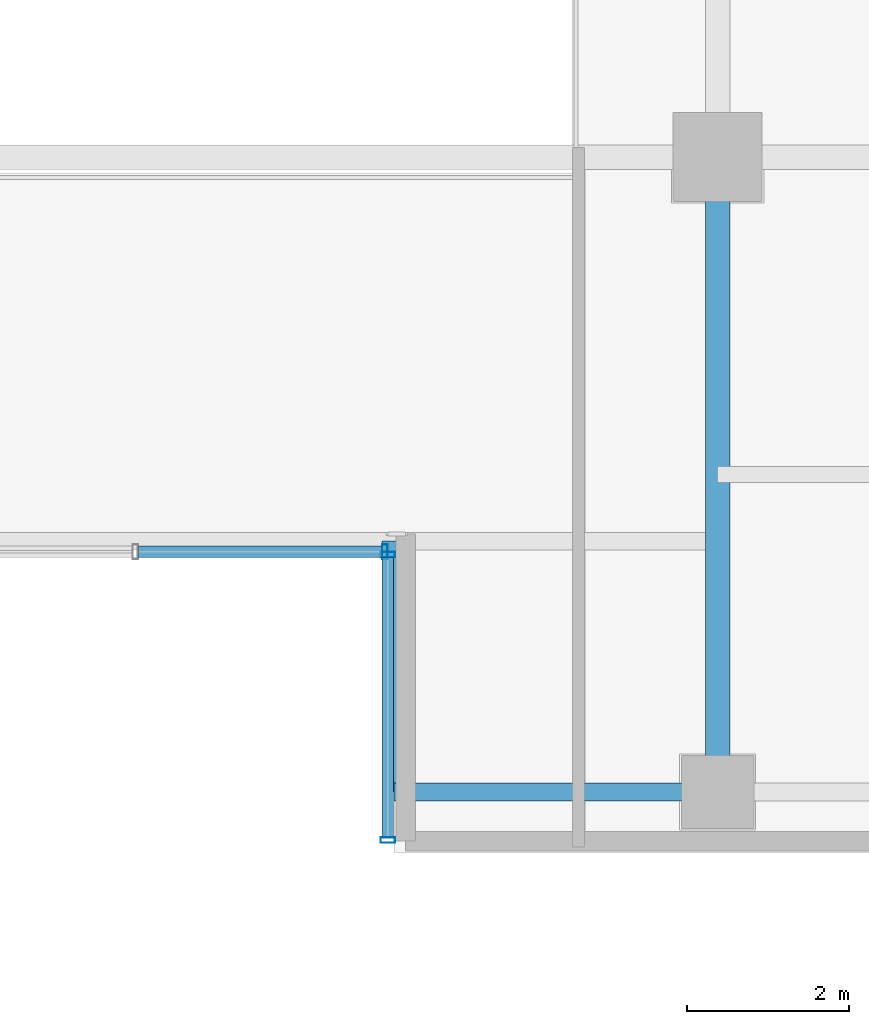
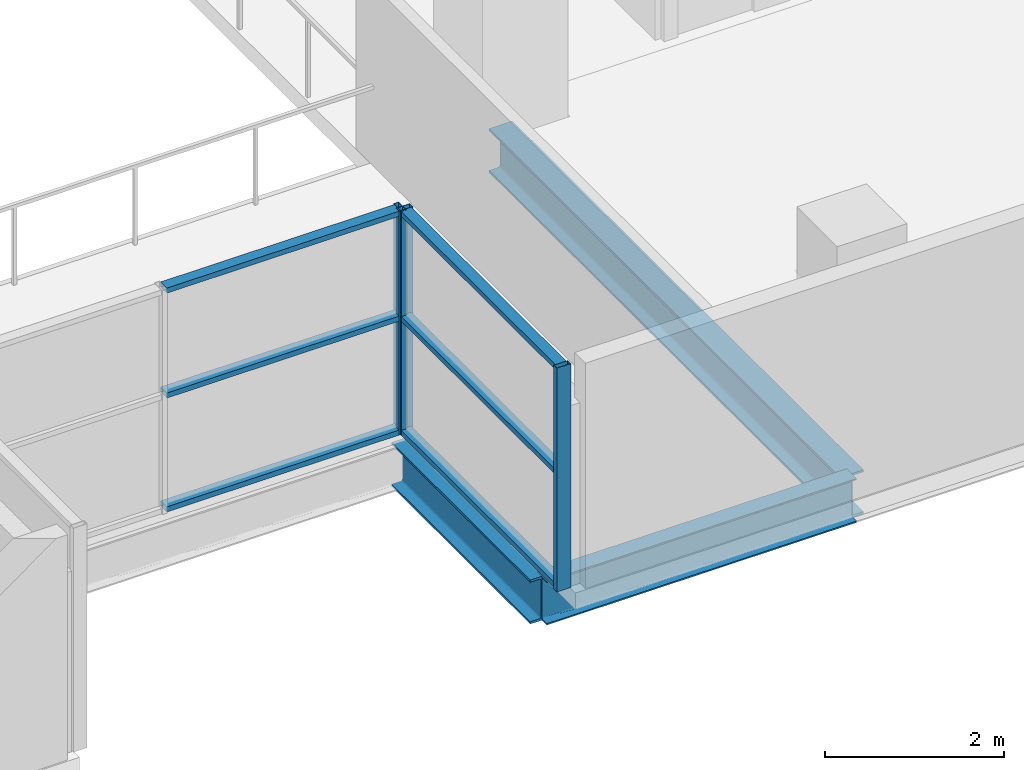
# One storey, part 9 of 32: 9 members, 3 beams, 2 elements without a shape of their own.
"""IFC4 building model written with IfcOpenShell, lengths in metres."""

from ifc_helpers import new_model, si_unit, direction, frame, origin, origin_2d, place, context, subcontext, project, spatial, hollow_rectangle, i_section, extrude, source, transform, mapped, material, layer, layer_set, material_profile, profile_set, type_object, element, aggregate, save


model = new_model("IFC4")

# Units and contexts
model_context = context("Model", 3, precision=1e-05, world=origin(), true_north=direction((0.0, 1.0)))
body_context = subcontext(model_context, "Body", "Model", "MODEL_VIEW")
ifc_project = project(units=[si_unit("LENGTHUNIT", "METRE"), si_unit("AREAUNIT", "SQUARE_METRE"), si_unit("VOLUMEUNIT", "CUBIC_METRE"), si_unit("PLANEANGLEUNIT", "RADIAN"), si_unit("MASSUNIT", "GRAM", prefix="KILO")], contexts=[model_context])

# Site, building, storey
site_placement = place(None, origin())
site = spatial("IfcSite", under=ifc_project, at=site_placement, CompositionType="ELEMENT")
building_placement = place(site_placement, origin())
building = spatial("IfcBuilding", under=site, at=building_placement, Name="Zarnakvel Exchange Tower", CompositionType="ELEMENT")
storey_placement = place(building_placement, frame((0.0, 0.0, 73.60009765625)))
storey = spatial("IfcBuildingStorey", under=building, at=storey_placement, Name="L20", CompositionType="ELEMENT", Elevation=73.60009765625)

# Beams
ifc_material_1 = material(Name="Steel S355", Category="steel")
ifc_material_profile_1 = material_profile(ifc_material_1, i_section(OverallWidth=0.300048828125, OverallDepth=0.60009765625, WebThickness=0.015380859375, FlangeThickness=0.030029296875, FilletRadius=0.027099609375, at=origin_2d()))
ifc_profile_set_1 = profile_set([ifc_material_profile_1], Name="Steel S355")
beam_type_1 = type_object("IfcBeamType", Name="G-04", PredefinedType="BEAM", material=ifc_profile_set_1)
beam_1_placement = place(storey_placement, frame((3.199951171875, -17.449951171875, -0.525146484375), z_axis=(0.0, 1.0, 0.0), x_axis=(-1.0, 0.0, 0.0)))
element("IfcBeam", 1, at=beam_1_placement, inside=storey, type_object=beam_type_1, Name="L20 South Slot East Cheek Beam", PredefinedType="BEAM", context=body_context, shape_type="SweptSolid", body=[
    extrude(i_section(OverallWidth=0.300048828125, OverallDepth=0.60009765625, WebThickness=0.015380859375, FlangeThickness=0.030029296875, FilletRadius=0.027099609375, at=origin_2d()), origin(), (0.0, 0.0, 1.0), 3.099853515625),
])
beam_2_placement = place(storey_placement, frame((7.199951171875, -17.449951171875, -0.525146484375), z_axis=(0.0, 1.0, 0.0), x_axis=(-1.0, 0.0, 0.0)))
element("IfcBeam", 2, at=beam_2_placement, inside=storey, type_object=beam_type_1, Name="L20 Tower N-S Frame Beam", PredefinedType="BEAM", context=body_context, shape_type="SweptSolid", body=[
    extrude(i_section(OverallWidth=0.300048828125, OverallDepth=0.60009765625, WebThickness=0.015380859375, FlangeThickness=0.030029296875, FilletRadius=0.027099609375, at=origin_2d()), origin(), (0.0, 0.0, 1.0), 7.849853515625),
])
ifc_material_profile_2 = material_profile(ifc_material_1, i_section(OverallWidth=0.219970703125, OverallDepth=0.60009765625, WebThickness=0.011962890625, FlangeThickness=0.01904296875, FilletRadius=0.02392578125, at=origin_2d()))
ifc_profile_set_2 = profile_set([ifc_material_profile_2], Name="Steel S355")
beam_type_2 = type_object("IfcBeamType", Name="SP-01", PredefinedType="SPANDREL", material=ifc_profile_set_2)
beam_3_placement = place(storey_placement, frame((3.199951171875, -17.449951171875, -0.525146484375), z_axis=(1.0, 0.0, 0.0), x_axis=(0.0, 1.0, 0.0)))
element("IfcBeam", 3, at=beam_3_placement, inside=storey, type_object=beam_type_2, Name="L20 South Slot East Jamb Spandrel", PredefinedType="SPANDREL", context=body_context, shape_type="SweptSolid", body=[
    extrude(i_section(OverallWidth=0.219970703125, OverallDepth=0.60009765625, WebThickness=0.011962890625, FlangeThickness=0.01904296875, FilletRadius=0.02392578125, at=origin_2d()), origin(), (0.0, 0.0, 1.0), 4.0),
])

# Curtain wall, members
ifc_material_2 = material(Name="Architectural Bronze Anodised Aluminium", Category="aluminium")
ifc_layer = layer(ifc_material_2, 0.179931640625)
ifc_layer_set = layer_set([ifc_layer], Name="Architectural Bronze Anodised Aluminium")
curtain_wall_type = type_object("IfcCurtainWallType", Name="CW-05", PredefinedType="NOTDEFINED", material=ifc_layer_set)
curtain_wall_1_placement = place(storey_placement, origin())
curtain_wall_1 = element("IfcCurtainWall", 4, at=curtain_wall_1_placement, inside=storey, type_object=curtain_wall_type, Name="L20 Curtain Wall CW-L20-SLE (CW-05)", PredefinedType="NOTDEFINED")
ifc_material_profile_3 = material_profile(ifc_material_2, hollow_rectangle(XDim=0.139892578125, YDim=0.070068359375, WallThickness=0.00390625, at=origin_2d()))
ifc_profile_set_3 = profile_set([ifc_material_profile_3], Name="Architectural Bronze Anodised Aluminium")
member_type_1 = type_object("IfcMemberType", Name="CWT-05", PredefinedType="USERDEFINED", material=ifc_profile_set_3)
shared_shape_1 = source(origin(), body_context, "Body", "SweptSolid", [
    extrude(hollow_rectangle(XDim=0.139892578125, YDim=0.070068359375, WallThickness=0.00390625, at=origin_2d()), origin(), (0.0, 0.0, 1.0), 3.4599609375),
])
member_1_placement = place(storey_placement, frame((3.1201171875, -14.550048828125, 0.034912109375), z_axis=(0.0, -1.0, 0.0), x_axis=(1.0, 0.0, 0.0)))
member_1 = element("IfcMember", 5, at=member_1_placement, type_object=member_type_1, Name="CW-05 transom 1.1", ObjectType="TRANSOM", PredefinedType="USERDEFINED", context=body_context, shape_type="MappedRepresentation", body=[
    mapped(shared_shape_1, transform((0.0, 0.0, 0.0), x_axis=(1.0, 0.0, 0.0), y_axis=(0.0, 1.0, 0.0), z_axis=(0.0, 0.0, 1.0), scale=1.0)),
])
member_2_placement = place(storey_placement, frame((3.1201171875, -14.550048828125, 1.588623046875), z_axis=(0.0, -1.0, 0.0), x_axis=(1.0, 0.0, 0.0)))
member_2 = element("IfcMember", 6, at=member_2_placement, type_object=member_type_1, Name="CW-05 transom 1.2", ObjectType="TRANSOM", PredefinedType="USERDEFINED", context=body_context, shape_type="MappedRepresentation", body=[
    mapped(shared_shape_1, transform((0.0, 0.0, 0.0), x_axis=(1.0, 0.0, 0.0), y_axis=(0.0, 1.0, 0.0), z_axis=(0.0, 0.0, 1.0), scale=1.0)),
])
member_3_placement = place(storey_placement, frame((3.1201171875, -14.550048828125, 3.02001953125), z_axis=(0.0, -1.0, 0.0), x_axis=(1.0, 0.0, 0.0)))
member_3 = element("IfcMember", 7, at=member_3_placement, type_object=member_type_1, Name="CW-05 transom 1.3", ObjectType="TRANSOM", PredefinedType="USERDEFINED", context=body_context, shape_type="MappedRepresentation", body=[
    mapped(shared_shape_1, transform((0.0, 0.0, 0.0), x_axis=(1.0, 0.0, 0.0), y_axis=(0.0, 1.0, 0.0), z_axis=(0.0, 0.0, 1.0), scale=1.0)),
])

curtain_wall_2_placement = place(storey_placement, origin())
curtain_wall_2 = element("IfcCurtainWall", 8, at=curtain_wall_2_placement, inside=storey, type_object=curtain_wall_type, Name="L20 Curtain Wall CW-L20-SLB (CW-05)", PredefinedType="NOTDEFINED")
shared_shape_2 = source(origin(), body_context, "Body", "SweptSolid", [
    extrude(hollow_rectangle(XDim=0.139892578125, YDim=0.070068359375, WallThickness=0.00390625, at=origin_2d()), origin(), (0.0, 0.0, 1.0), 3.01513671875),
])
member_4_placement = place(storey_placement, frame((0.034912109375, -14.47998046875, 0.034912109375), z_axis=(1.0, 0.0, 0.0), x_axis=(0.0, 1.0, 0.0)))
member_4 = element("IfcMember", 9, at=member_4_placement, type_object=member_type_1, Name="CW-05 transom 2.1", ObjectType="TRANSOM", PredefinedType="USERDEFINED", context=body_context, shape_type="MappedRepresentation", body=[
    mapped(shared_shape_2, transform((0.0, 0.0, 0.0), x_axis=(1.0, 0.0, 0.0), y_axis=(0.0, 1.0, 0.0), z_axis=(0.0, 0.0, 1.0), scale=1.0)),
])
member_5_placement = place(storey_placement, frame((0.034912109375, -14.47998046875, 1.588623046875), z_axis=(1.0, 0.0, 0.0), x_axis=(0.0, 1.0, 0.0)))
member_5 = element("IfcMember", 10, at=member_5_placement, type_object=member_type_1, Name="CW-05 transom 2.2", ObjectType="TRANSOM", PredefinedType="USERDEFINED", context=body_context, shape_type="MappedRepresentation", body=[
    mapped(shared_shape_2, transform((0.0, 0.0, 0.0), x_axis=(1.0, 0.0, 0.0), y_axis=(0.0, 1.0, 0.0), z_axis=(0.0, 0.0, 1.0), scale=1.0)),
])
member_6_placement = place(storey_placement, frame((0.034912109375, -14.47998046875, 3.02001953125), z_axis=(1.0, 0.0, 0.0), x_axis=(0.0, 1.0, 0.0)))
member_6 = element("IfcMember", 11, at=member_6_placement, type_object=member_type_1, Name="CW-05 transom 2.3", ObjectType="TRANSOM", PredefinedType="USERDEFINED", context=body_context, shape_type="MappedRepresentation", body=[
    mapped(shared_shape_2, transform((0.0, 0.0, 0.0), x_axis=(1.0, 0.0, 0.0), y_axis=(0.0, 1.0, 0.0), z_axis=(0.0, 0.0, 1.0), scale=1.0)),
])
ifc_material_profile_4 = material_profile(ifc_material_2, hollow_rectangle(XDim=0.179931640625, YDim=0.070068359375, WallThickness=0.00390625, at=origin_2d()))
ifc_profile_set_4 = profile_set([ifc_material_profile_4], Name="Architectural Bronze Anodised Aluminium")
member_type_2 = type_object("IfcMemberType", Name="CWM-05", PredefinedType="MULLION", material=ifc_profile_set_4)
shared_shape_3 = source(origin(), body_context, "Body", "SweptSolid", [
    extrude(hollow_rectangle(XDim=0.179931640625, YDim=0.070068359375, WallThickness=0.00390625, at=origin_2d()), origin(), (0.0, 0.0, 1.0), 3.054931640625),
])
member_7_placement = place(storey_placement, frame((3.0849609375, -14.47998046875, 0.0), z_axis=(0.0, 0.0, 1.0), x_axis=(0.0, 1.0, 0.0)))
member_7 = element("IfcMember", 12, at=member_7_placement, type_object=member_type_2, Name="CW-05 mullion 3", PredefinedType="MULLION", context=body_context, shape_type="MappedRepresentation", body=[
    mapped(shared_shape_3, transform((0.0, 0.0, 0.0), x_axis=(1.0, 0.0, 0.0), y_axis=(0.0, 1.0, 0.0), z_axis=(0.0, 0.0, 1.0), scale=1.0)),
])
aggregate(curtain_wall_2, [member_7, member_4, member_5, member_6])

# Member
member_8_placement = place(storey_placement, frame((3.1201171875, -14.514892578125, 0.0), z_axis=(0.0, 0.0, 1.0), x_axis=(1.0, 0.0, 0.0)))
member_8 = element("IfcMember", 13, at=member_8_placement, type_object=member_type_2, Name="CW-05 mullion 1", PredefinedType="MULLION", context=body_context, shape_type="MappedRepresentation", body=[
    mapped(shared_shape_3, transform((0.0, 0.0, 0.0), x_axis=(1.0, 0.0, 0.0), y_axis=(0.0, 1.0, 0.0), z_axis=(0.0, 0.0, 1.0), scale=1.0)),
])

member_9_placement = place(storey_placement, frame((3.1201171875, -18.044921875, 0.0), z_axis=(0.0, 0.0, 1.0), x_axis=(1.0, 0.0, 0.0)))
member_9 = element("IfcMember", 14, at=member_9_placement, type_object=member_type_2, Name="CW-05 mullion 2", PredefinedType="MULLION", context=body_context, shape_type="MappedRepresentation", body=[
    mapped(shared_shape_3, transform((0.0, 0.0, 0.0), x_axis=(1.0, 0.0, 0.0), y_axis=(0.0, 1.0, 0.0), z_axis=(0.0, 0.0, 1.0), scale=1.0)),
])

aggregate(curtain_wall_1, [member_8, member_9, member_1, member_2, member_3])

save(model, "model.ifc")
